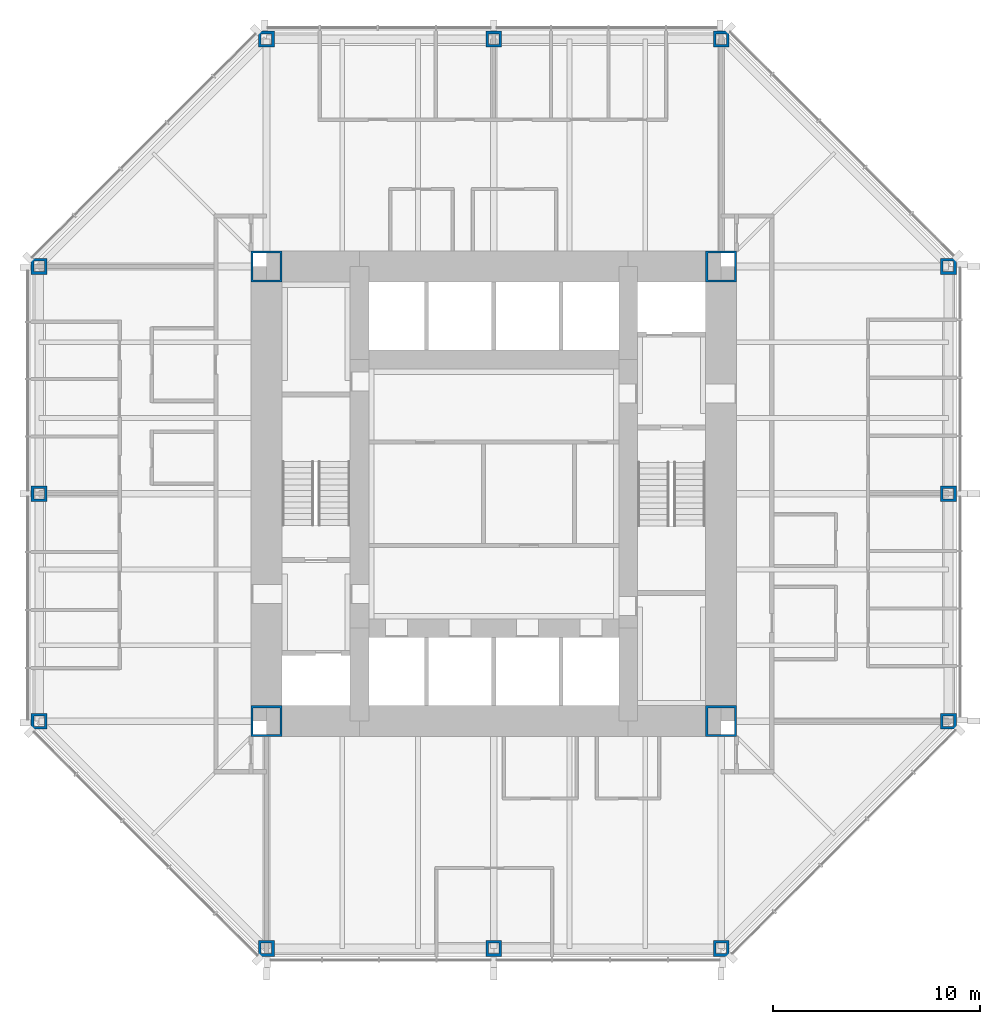
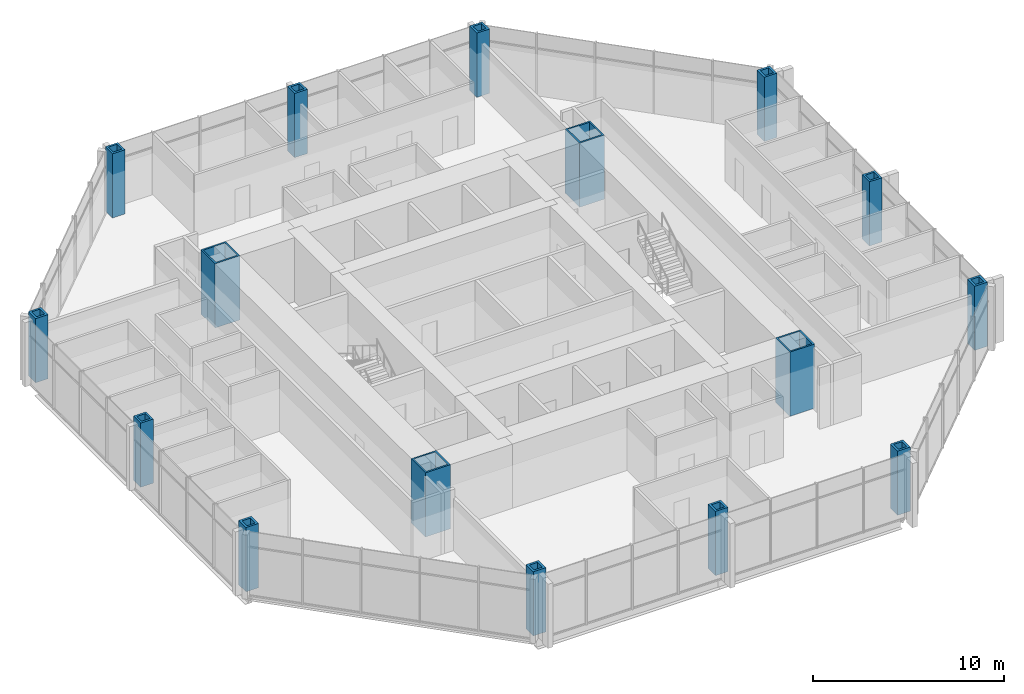
# One storey, part 1 of 14: 16 columns.
"""IFC4 building model written with IfcOpenShell, lengths in metres."""

from ifc_helpers import new_model, si_unit, direction, frame, origin, origin_2d, place, context, subcontext, project, spatial, hollow_rectangle, extrude, material, material_profile, profile_set, type_object, element, save


model = new_model("IFC4")

# Units and contexts
model_context = context("Model", 3, precision=1e-05, world=origin(), true_north=direction((0.0, 1.0)))
body_context = subcontext(model_context, "Body", "Model", "MODEL_VIEW")
ifc_project = project(units=[si_unit("LENGTHUNIT", "METRE"), si_unit("AREAUNIT", "SQUARE_METRE"), si_unit("VOLUMEUNIT", "CUBIC_METRE"), si_unit("PLANEANGLEUNIT", "RADIAN"), si_unit("MASSUNIT", "GRAM", prefix="KILO")], contexts=[model_context])

# Site, building, storey
site_placement = place(None, origin())
site = spatial("IfcSite", under=ifc_project, at=site_placement, CompositionType="ELEMENT")
building_placement = place(site_placement, origin())
building = spatial("IfcBuilding", under=site, at=building_placement, Name="Trevanion Tower", CompositionType="ELEMENT")
storey_placement = place(building_placement, frame((0.0, 0.0, 104.89990234375)))
storey = spatial("IfcBuildingStorey", under=building, at=storey_placement, Name="L24", CompositionType="ELEMENT", Elevation=104.89990234375)

# Columns
ifc_material_1 = material(Name="Steel ASTM A588 Grade 50", Category="steel")
ifc_material_profile_1 = material_profile(ifc_material_1, hollow_rectangle(XDim=0.761962890625, YDim=0.761962890625, WallThickness=0.126953125, at=origin_2d()), Name="BOX30X30X5")
ifc_profile_set_1 = profile_set([ifc_material_profile_1], Name="Steel ASTM A588 Grade 50")
column_type_1 = type_object("IfcColumnType", Name="C4 BOX30X30X5", PredefinedType="COLUMN", material=ifc_profile_set_1)
for number, where, z_axis, x_axis, name in (
    (1, (-22.0, 0.0, 0.0), (0.0, 0.0, 1.0), (0.0, 1.0, 0.0), "C4 4/H L24"),
    (2, (-22.0, -11.0, 0.0), (0.0, 0.0, 1.0), (0.0, 1.0, 0.0), "C4 4/F L24"),
    (3, (-11.0, -22.0, 0.0), (0.0, 0.0, 1.0), (1.0, 0.0, 0.0), "C4 8/B L24"),
    (4, (0.0, -22.0, 0.0), (0.0, 0.0, 1.0), (1.0, 0.0, 0.0), "C4 10/B L24"),
    (5, (11.0, -22.0, 0.0), (0.0, 0.0, 1.0), (1.0, 0.0, 0.0), "C4 12/B L24"),
    (6, (22.0, -11.0, 0.0), (0.0, 0.0, 1.0), (0.0, 1.0, 0.0), "C4 16/F L24"),
    (7, (22.0, 0.0, 0.0), (0.0, 0.0, 1.0), (0.0, 1.0, 0.0), "C4 16/H L24"),
    (8, (22.0, 11.0, 0.0), (0.0, 0.0, 1.0), (0.0, 1.0, 0.0), "C4 16/K L24"),
    (9, (11.0, 22.0, 0.0), (0.0, 0.0, 1.0), (1.0, 0.0, 0.0), "C4 12/P L24"),
    (10, (0.0, 22.0, 0.0), (0.0, 0.0, 1.0), (1.0, 0.0, 0.0), "C4 10/P L24"),
    (11, (-11.0, 22.0, 0.0), (0.0, 0.0, 1.0), (1.0, 0.0, 0.0), "C4 8/P L24"),
    (12, (-22.0, 11.0, 0.0), (0.0, 0.0, 1.0), (0.0, 1.0, 0.0), "C4 4/K L24"),
):
    element("IfcColumn", number, at=place(storey_placement, frame(where, z_axis=z_axis, x_axis=x_axis)), inside=storey, type_object=column_type_1, Name=name, PredefinedType="COLUMN", context=body_context, shape_type="SweptSolid", body=[
        extrude(hollow_rectangle(XDim=0.761962890625, YDim=0.761962890625, WallThickness=0.126953125, at=origin_2d()), origin(), (0.0, 0.0, 1.0), 4.10009765625),
    ])
ifc_material_2 = material(Name="Steel ASTM A572 Grade 50", Category="steel")
ifc_material_profile_2 = material_profile(ifc_material_2, hollow_rectangle(XDim=1.49853515625, YDim=1.49853515625, WallThickness=0.1015625, at=origin_2d()), Name="BOX59X59X4")
ifc_profile_set_2 = profile_set([ifc_material_profile_2], Name="Steel ASTM A572 Grade 50")
column_type_2 = type_object("IfcColumnType", Name="CB1 BOX59X59X4", PredefinedType="COLUMN", material=ifc_profile_set_2)
for number, where, z_axis, x_axis, name in (
    (13, (11.0, 11.0, 0.0), (0.0, 0.0, 1.0), (1.0, 0.0, 0.0), "CB1 NE L24"),
    (14, (-11.0, 11.0, 0.0), (0.0, 0.0, 1.0), (1.0, 0.0, 0.0), "CB1 NW L24"),
    (15, (-11.0, -11.0, 0.0), (0.0, 0.0, 1.0), (1.0, 0.0, 0.0), "CB1 SW L24"),
    (16, (11.0, -11.0, 0.0), (0.0, 0.0, 1.0), (1.0, 0.0, 0.0), "CB1 SE L24"),
):
    element("IfcColumn", number, at=place(storey_placement, frame(where, z_axis=z_axis, x_axis=x_axis)), inside=storey, type_object=column_type_2, Name=name, PredefinedType="COLUMN", context=body_context, shape_type="SweptSolid", body=[
        extrude(hollow_rectangle(XDim=1.49853515625, YDim=1.49853515625, WallThickness=0.1015625, at=origin_2d()), origin(), (0.0, 0.0, 1.0), 4.10009765625),
    ])

save(model, "model.ifc")
